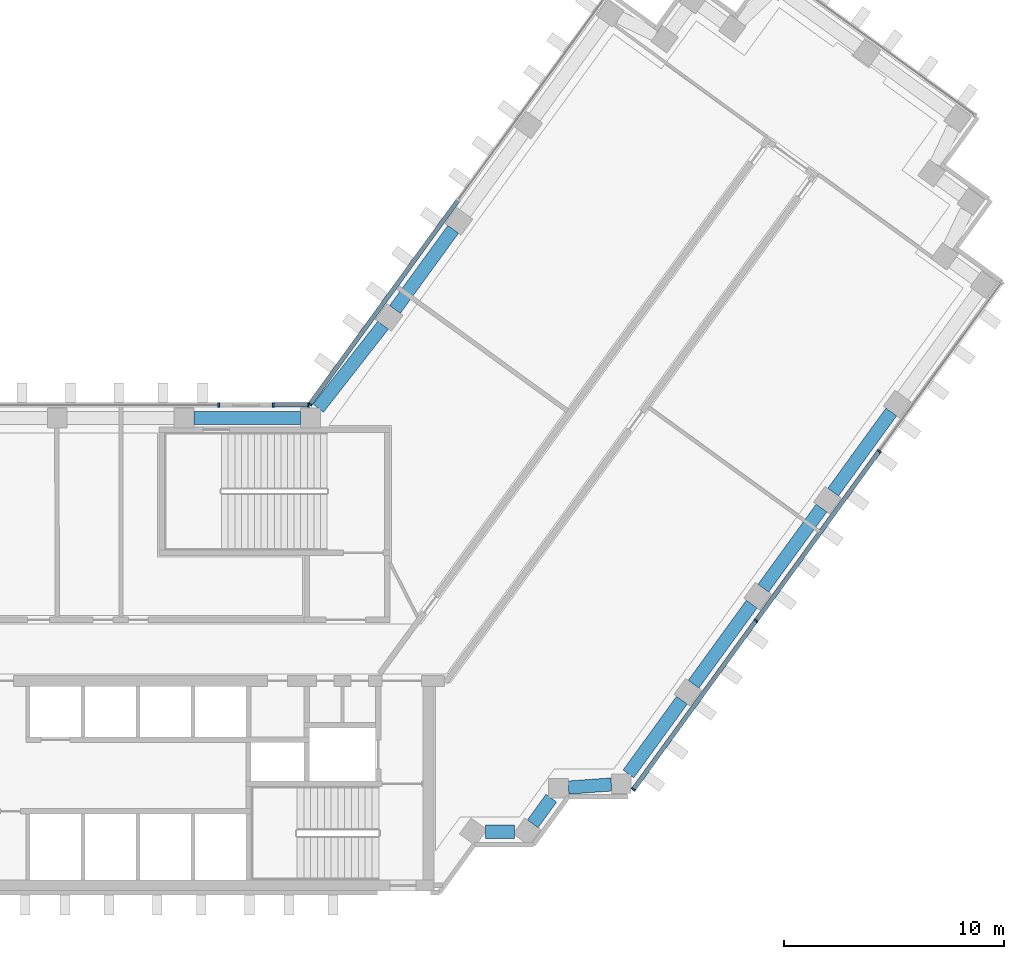
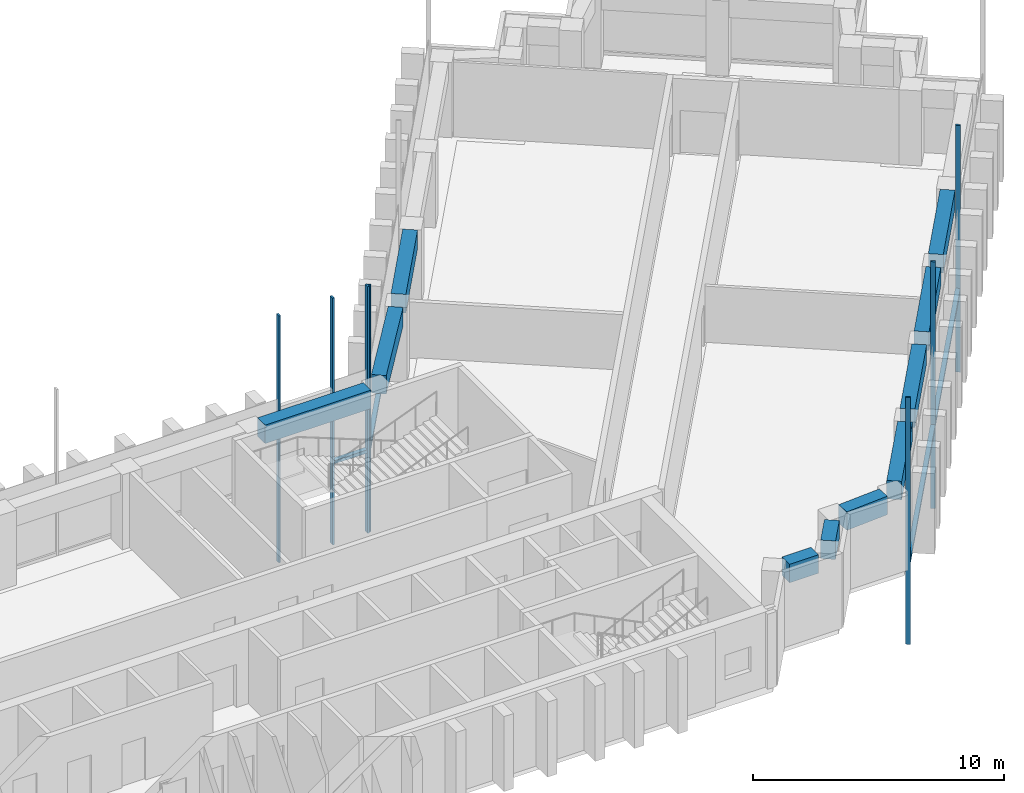
# One storey, part 5 of 16: 11 members, 10 beams, 4 elements without a shape of their own.
"""IFC4 building model written with IfcOpenShell, lengths in metres."""

from ifc_helpers import new_model, si_unit, direction, frame, origin, origin_2d, place, context, subcontext, project, spatial, rectangle, extrude, material, material_profile, profile_set, type_object, element, aggregate, save


model = new_model("IFC4")

# Units and contexts
model_context = context("Model", 3, precision=1e-05, world=origin(), true_north=direction((0.0, 1.0)))
body_context = subcontext(model_context, "Body", "Model", "MODEL_VIEW")
ifc_project = project(units=[si_unit("LENGTHUNIT", "METRE"), si_unit("AREAUNIT", "SQUARE_METRE"), si_unit("VOLUMEUNIT", "CUBIC_METRE"), si_unit("PLANEANGLEUNIT", "RADIAN"), si_unit("MASSUNIT", "GRAM", prefix="KILO")], contexts=[model_context])

# Site, building, storey
site_placement = place(None, origin())
site = spatial("IfcSite", under=ifc_project, at=site_placement, CompositionType="ELEMENT")
building_placement = place(site_placement, origin())
building = spatial("IfcBuilding", under=site, at=building_placement, Name="Quipu Civic Tower", CompositionType="ELEMENT")
storey_placement = place(building_placement, frame((0.0, 0.0, 125.0)))
storey = spatial("IfcBuildingStorey", under=building, at=storey_placement, Name="L29", CompositionType="ELEMENT", Elevation=125.0)

# Curtain wall, members
ifc_material_1 = material(Name="Insulated glass unit", Category="glass")
curtain_wall_type = type_object("IfcCurtainWallType", Name="Office curtain wall CW1", PredefinedType="NOTDEFINED", material=ifc_material_1)
curtain_wall_1_placement = place(storey_placement, origin())
curtain_wall_1 = element("IfcCurtainWall", 1, at=curtain_wall_1_placement, inside=storey, type_object=curtain_wall_type, Name="Office curtain wall CW1 L28 run 23", PredefinedType="NOTDEFINED")
ifc_material_2 = material(Name="Anodised aluminium", Category="aluminium")
ifc_material_profile_1 = material_profile(ifc_material_2, rectangle(XDim=0.199951171875, YDim=0.080078125, at=origin_2d()), Name="RECT 200x80")
ifc_profile_set_1 = profile_set([ifc_material_profile_1], Name="Anodised aluminium")
member_type_1 = type_object("IfcMemberType", Name="Mullion CW1", PredefinedType="MULLION", material=ifc_profile_set_1)
member_1_placement = place(storey_placement, frame((29.079345703125, -6.3876953125, -3.919921875), z_axis=(0.0, 0.0, 1.0), x_axis=(-0.809016904652, 0.587785375786, 0.0)))
member_1 = element("IfcMember", 2, at=member_1_placement, type_object=member_type_1, Name="CW1 mullion 1", PredefinedType="MULLION", context=body_context, shape_type="SweptSolid", body=[
    extrude(rectangle(XDim=0.199951171875, YDim=0.080078125, at=origin_2d()), origin(), (0.0, 0.0, 1.0), 12.0),
])
member_2_placement = place(storey_placement, frame((34.65380859375, 1.28466796875, -3.919921875), z_axis=(0.0, 0.0, 1.0), x_axis=(-0.809016904652, 0.587785375786, 0.0)))
member_2 = element("IfcMember", 3, at=member_2_placement, type_object=member_type_1, Name="CW1 mullion 2", PredefinedType="MULLION", context=body_context, shape_type="SweptSolid", body=[
    extrude(rectangle(XDim=0.199951171875, YDim=0.080078125, at=origin_2d()), origin(), (0.0, 0.0, 1.0), 12.0),
])
member_3_placement = place(storey_placement, frame((40.251708984375, 8.989501953125, -3.919921875), z_axis=(0.0, 0.0, 1.0), x_axis=(-0.809016904652, 0.587785375786, 0.0)))
member_3 = element("IfcMember", 4, at=member_3_placement, type_object=member_type_1, Name="CW1 mullion 3", PredefinedType="MULLION", context=body_context, shape_type="SweptSolid", body=[
    extrude(rectangle(XDim=0.199951171875, YDim=0.080078125, at=origin_2d()), origin(), (0.0, 0.0, 1.0), 12.0),
])

# Curtain wall, member
curtain_wall_2_placement = place(storey_placement, origin())
curtain_wall_2 = element("IfcCurtainWall", 5, at=curtain_wall_2_placement, inside=storey, type_object=curtain_wall_type, Name="Office curtain wall CW1 L28 run 30", PredefinedType="NOTDEFINED")
member_4_placement = place(storey_placement, frame((14.36767578125, 11.13232421875, -3.919921875), z_axis=(0.0, 0.0, 1.0), x_axis=(0.809014469803, -0.587788727052, 0.0)))
member_4 = element("IfcMember", 6, at=member_4_placement, type_object=member_type_1, Name="CW1 mullion 3", PredefinedType="MULLION", context=body_context, shape_type="SweptSolid", body=[
    extrude(rectangle(XDim=0.199951171875, YDim=0.080078125, at=origin_2d()), origin(), (0.0, 0.0, 1.0), 12.0),
])

# Curtain wall, members
curtain_wall_3_placement = place(storey_placement, origin())
curtain_wall_3 = element("IfcCurtainWall", 7, at=curtain_wall_3_placement, inside=storey, type_object=curtain_wall_type, Name="Office curtain wall CW1 L28 run 31", PredefinedType="NOTDEFINED")
member_5_placement = place(storey_placement, frame((14.30419921875, 11.10009765625, -3.919921875), z_axis=(0.0, 0.0, 1.0), x_axis=(0.0, -1.0, 0.0)))
member_5 = element("IfcMember", 8, at=member_5_placement, type_object=member_type_1, Name="CW1 mullion 1", PredefinedType="MULLION", context=body_context, shape_type="SweptSolid", body=[
    extrude(rectangle(XDim=0.199951171875, YDim=0.080078125, at=origin_2d()), origin(), (0.0, 0.0, 1.0), 12.0),
])
member_6_placement = place(storey_placement, frame((12.695068359375, 11.10009765625, -3.919921875), z_axis=(0.0, 0.0, 1.0), x_axis=(0.0, -1.0, 0.0)))
member_6 = element("IfcMember", 9, at=member_6_placement, type_object=member_type_1, Name="CW1 mullion 2", PredefinedType="MULLION", context=body_context, shape_type="SweptSolid", body=[
    extrude(rectangle(XDim=0.199951171875, YDim=0.080078125, at=origin_2d()), origin(), (0.0, 0.0, 1.0), 12.0),
])

# Curtain wall, member
curtain_wall_4_placement = place(storey_placement, origin())
curtain_wall_4 = element("IfcCurtainWall", 10, at=curtain_wall_4_placement, inside=storey, type_object=curtain_wall_type, Name="Office curtain wall CW1 L28 run 33", PredefinedType="NOTDEFINED")
member_7_placement = place(storey_placement, frame((10.223388671875, 11.10009765625, -3.919921875), z_axis=(0.0, 0.0, 1.0), x_axis=(0.0, -1.0, 0.0)))
member_7 = element("IfcMember", 11, at=member_7_placement, type_object=member_type_1, Name="CW1 mullion 1", PredefinedType="MULLION", context=body_context, shape_type="SweptSolid", body=[
    extrude(rectangle(XDim=0.199951171875, YDim=0.080078125, at=origin_2d()), origin(), (0.0, 0.0, 1.0), 12.0),
])
aggregate(curtain_wall_4, [member_7])

# Beams
ifc_material_3 = material(Name="Concrete C50/60", Category="concrete")
ifc_material_profile_2 = material_profile(ifc_material_3, rectangle(XDim=0.60009765625, YDim=0.89990234375, at=origin_2d()), Name="RC600x900")
ifc_profile_set_2 = profile_set([ifc_material_profile_2], Name="Concrete C50/60")
beam_type = type_object("IfcBeamType", Name="Spandrel beam RC 600x900 C50/60", PredefinedType="SPANDREL", material=ifc_profile_set_2)
beam_1_placement = place(storey_placement, frame((22.34814453125, -8.31494140625, 3.199951171875), z_axis=(1.0, 0.0, 0.0), x_axis=(0.0, 1.0, 0.0)))
element("IfcBeam", 12, at=beam_1_placement, inside=storey, type_object=beam_type, Name="Spandrel beam L29 J-Eo.1 to J-Eo.2", PredefinedType="SPANDREL", context=body_context, shape_type="SweptSolid", body=[
    extrude(rectangle(XDim=0.60009765625, YDim=0.89990234375, at=origin_2d()), origin(), (0.0, 0.0, 1.0), 1.33056640625),
])
beam_2_placement = place(storey_placement, frame((24.499755859375, -7.951171875, 3.199951171875), z_axis=(0.588433824377, 0.808545381738, 0.0), x_axis=(-0.808545381738, 0.588433824377, 0.0)))
element("IfcBeam", 13, at=beam_2_placement, inside=storey, type_object=beam_type, Name="Spandrel beam L29 J-Eo.2 to J-Eo.3", PredefinedType="SPANDREL", context=body_context, shape_type="SweptSolid", body=[
    extrude(rectangle(XDim=0.60009765625, YDim=0.89990234375, at=origin_2d()), origin(), (0.0, 0.0, 1.0), 1.439697265625),
])
beam_3_placement = place(storey_placement, frame((26.12451171875, -6.304443359375, 3.199951171875), z_axis=(0.997365981169, 0.072533437859, 0.0), x_axis=(-0.072533437859, 0.997365981169, 0.0)))
element("IfcBeam", 14, at=beam_3_placement, inside=storey, type_object=beam_type, Name="Spandrel beam L29 J-Eo.3 to J-Eo.4", PredefinedType="SPANDREL", context=body_context, shape_type="SweptSolid", body=[
    extrude(rectangle(XDim=0.60009765625, YDim=0.89990234375, at=origin_2d()), origin(), (0.0, 0.0, 1.0), 1.95556640625),
])
beam_4_placement = place(storey_placement, frame((28.85205078125, -5.679931640625, 3.199951171875), z_axis=(0.587750565781, 0.809042194464, 0.0), x_axis=(-0.809042194464, 0.587750565781, 0.0)))
element("IfcBeam", 15, at=beam_4_placement, inside=storey, type_object=beam_type, Name="Spandrel beam L29 J-Eo.4 to E-OUT-01", PredefinedType="SPANDREL", context=body_context, shape_type="SweptSolid", body=[
    extrude(rectangle(XDim=0.60009765625, YDim=0.89990234375, at=origin_2d()), origin(), (0.0, 0.0, 1.0), 4.13720703125),
])
beam_5_placement = place(storey_placement, frame((31.812744140625, -1.604736328125, 3.199951171875), z_axis=(0.587778073121, 0.809022210299, 0.0), x_axis=(-0.809022210299, 0.587778073121, 0.0)))
element("IfcBeam", 16, at=beam_5_placement, inside=storey, type_object=beam_type, Name="Spandrel beam L29 E-OUT-01 to E-OUT-02", PredefinedType="SPANDREL", context=body_context, shape_type="SweptSolid", body=[
    extrude(rectangle(XDim=0.60009765625, YDim=0.89990234375, at=origin_2d()), origin(), (0.0, 0.0, 1.0), 4.5),
])
beam_6_placement = place(storey_placement, frame((34.98681640625, 2.76416015625, 3.199951171875), z_axis=(0.587803872688, 0.809003465539, 0.0), x_axis=(-0.809003465539, 0.587803872688, 0.0)))
element("IfcBeam", 17, at=beam_6_placement, inside=storey, type_object=beam_type, Name="Spandrel beam L29 E-OUT-02 to E-OUT-03", PredefinedType="SPANDREL", context=body_context, shape_type="SweptSolid", body=[
    extrude(rectangle(XDim=0.60009765625, YDim=0.89990234375, at=origin_2d()), origin(), (0.0, 0.0, 1.0), 4.499755859375),
])
for number, where, z_axis, x_axis, name in (
    (18, (38.160888671875, 7.1328125, 3.199951171875), (0.587778073121, 0.809022210299, 0.0), (-0.809022210299, 0.587778073121, 0.0), "Spandrel beam L29 E-OUT-03 to E-OUT-04"),
    (19, (20.8828125, 19.079833984375, 3.199951171875), (-0.587716763865, -0.809066749701, 0.0), (0.809066749701, -0.587716763865, 0.0), "Spandrel beam L29 E-IN-02 to E-IN-01"),
):
    element("IfcBeam", number, at=place(storey_placement, frame(where, z_axis=z_axis, x_axis=x_axis)), inside=storey, type_object=beam_type, Name=name, PredefinedType="SPANDREL", context=body_context, shape_type="SweptSolid", body=[
        extrude(rectangle(XDim=0.60009765625, YDim=0.89990234375, at=origin_2d()), origin(), (0.0, 0.0, 1.0), 4.5),
    ])
beam_7_placement = place(storey_placement, frame((17.6962890625, 14.72021484375, 3.199951171875), z_axis=(-0.616123961998, -0.787649200756, 0.0), x_axis=(0.787649200756, -0.616123961998, 0.0)))
element("IfcBeam", 20, at=beam_7_placement, inside=storey, type_object=beam_type, Name="Spandrel beam L29 E-IN-01 to J-Ei.0", PredefinedType="SPANDREL", context=body_context, shape_type="SweptSolid", body=[
    extrude(rectangle(XDim=0.60009765625, YDim=0.89990234375, at=origin_2d()), origin(), (0.0, 0.0, 1.0), 4.78662109375),
])
beam_8_placement = place(storey_placement, frame((13.9453125, 10.5, 3.199951171875), z_axis=(-1.0, 0.0, 0.0), x_axis=(0.0, -1.0, 0.0)))
element("IfcBeam", 21, at=beam_8_placement, inside=storey, type_object=beam_type, Name="Spandrel beam L29 J-Ei.0 to FRONT-01", PredefinedType="SPANDREL", context=body_context, shape_type="SweptSolid", body=[
    extrude(rectangle(XDim=0.60009765625, YDim=0.89990234375, at=origin_2d()), origin(), (0.0, 0.0, 1.0), 4.858154296875),
])

# Member
ifc_material_4 = material(Name="Anodised aluminium", Category="aluminium")
ifc_material_profile_3 = material_profile(ifc_material_4, rectangle(XDim=0.199951171875, YDim=0.159912109375, at=origin_2d()), Name="RECT 200x160")
ifc_profile_set_3 = profile_set([ifc_material_profile_3], Name="Anodised aluminium")
member_type_2 = type_object("IfcMemberType", Name="Transom CW1", PredefinedType="USERDEFINED", material=ifc_profile_set_3)
member_8_placement = place(storey_placement, frame((29.10302734375, -6.35546875, 0.080078125), z_axis=(0.58777644589, 0.809023392528, 0.0), x_axis=(-0.809023392528, 0.58777644589, 0.0)))
member_8 = element("IfcMember", 22, at=member_8_placement, type_object=member_type_2, Name="CW1 transom 1.2", ObjectType="TRANSOM", PredefinedType="USERDEFINED", context=body_context, shape_type="SweptSolid", body=[
    extrude(rectangle(XDim=0.199951171875, YDim=0.159912109375, at=origin_2d()), origin(), (0.0, 0.0, 1.0), 9.40380859375),
])

member_9_placement = place(storey_placement, frame((34.67724609375, 1.317138671875, 0.080078125), z_axis=(0.587790407593, 0.809013248805, 0.0), x_axis=(-0.809013248805, 0.587790407593, 0.0)))
member_9 = element("IfcMember", 23, at=member_9_placement, type_object=member_type_2, Name="CW1 transom 2.2", ObjectType="TRANSOM", PredefinedType="USERDEFINED", context=body_context, shape_type="SweptSolid", body=[
    extrude(rectangle(XDim=0.199951171875, YDim=0.159912109375, at=origin_2d()), origin(), (0.0, 0.0, 1.0), 9.443359375),
])

aggregate(curtain_wall_1, [member_1, member_2, member_3, member_8, member_9])

member_10_placement = place(storey_placement, frame((21.09326171875, 20.38916015625, 0.080078125), z_axis=(-0.587799878401, -0.809006367683, 0.0), x_axis=(0.809006367683, -0.587799878401, 0.0)))
member_10 = element("IfcMember", 24, at=member_10_placement, type_object=member_type_2, Name="CW1 transom 2.2", ObjectType="TRANSOM", PredefinedType="USERDEFINED", context=body_context, shape_type="SweptSolid", body=[
    extrude(rectangle(XDim=0.199951171875, YDim=0.159912109375, at=origin_2d()), origin(), (0.0, 0.0, 1.0), 11.402099609375),
])

aggregate(curtain_wall_2, [member_4, member_10])

member_11_placement = place(storey_placement, frame((14.26416015625, 11.10009765625, 0.080078125), z_axis=(-1.0, 0.0, 0.0), x_axis=(0.0, -1.0, 0.0)))
member_11 = element("IfcMember", 25, at=member_11_placement, type_object=member_type_2, Name="CW1 transom 1.2", ObjectType="TRANSOM", PredefinedType="USERDEFINED", context=body_context, shape_type="SweptSolid", body=[
    extrude(rectangle(XDim=0.199951171875, YDim=0.159912109375, at=origin_2d()), origin(), (0.0, 0.0, 1.0), 1.529052734375),
])

aggregate(curtain_wall_3, [member_5, member_6, member_11])

save(model, "model.ifc")
